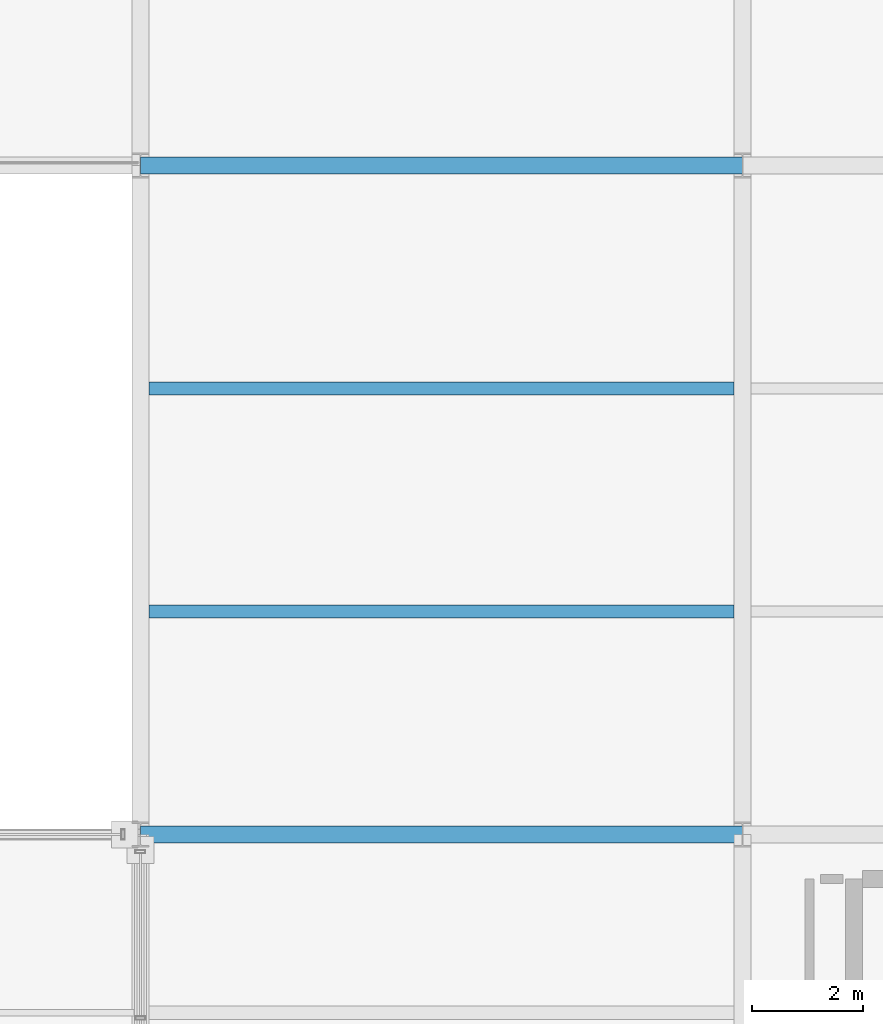
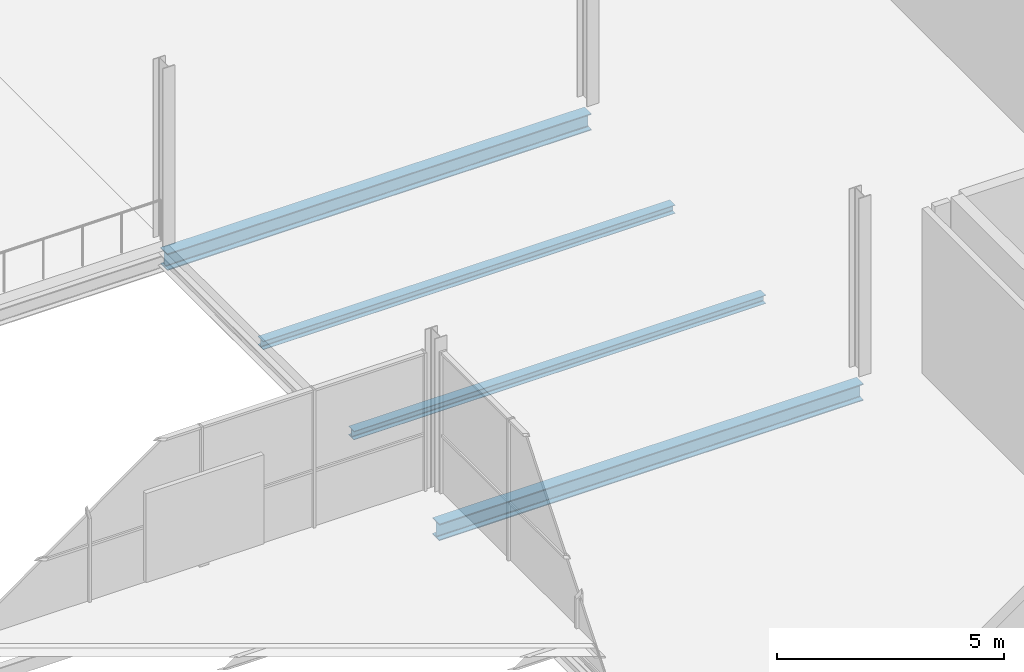
# One storey, part 103 of 159: 4 beams.
"""IFC4 building model written with IfcOpenShell, lengths in metres."""

from ifc_helpers import new_model, si_unit, direction, frame, origin, origin_2d, place, context, subcontext, project, spatial, i_section, extrude, material, material_profile, profile_set, type_object, element, save


model = new_model("IFC4")

# Units and contexts
model_context = context("Model", 3, precision=1e-05, world=origin(), true_north=direction((0.0, 1.0)))
body_context = subcontext(model_context, "Body", "Model", "MODEL_VIEW")
ifc_project = project(units=[si_unit("LENGTHUNIT", "METRE"), si_unit("AREAUNIT", "SQUARE_METRE"), si_unit("VOLUMEUNIT", "CUBIC_METRE"), si_unit("PLANEANGLEUNIT", "RADIAN"), si_unit("MASSUNIT", "GRAM", prefix="KILO")], contexts=[model_context])

# Site, building, storey
site_placement = place(None, origin())
site = spatial("IfcSite", under=ifc_project, at=site_placement, CompositionType="ELEMENT")
building_placement = place(site_placement, origin())
building = spatial("IfcBuilding", under=site, at=building_placement, Name="Merenkruunu Market Hall", CompositionType="ELEMENT")
storey_placement = place(building_placement, frame((0.0, 0.0, 5.39990234375)))
storey = spatial("IfcBuildingStorey", under=building, at=storey_placement, Name="L01", CompositionType="ELEMENT", Elevation=5.39990234375)

# Beams
ifc_material = material(Name="Steel S355J2", Category="steel")
ifc_material_profile_1 = material_profile(ifc_material, i_section(OverallWidth=0.300048828125, OverallDepth=0.449951171875, WebThickness=0.013916015625, FlangeThickness=0.02587890625, FilletRadius=0.027099609375, at=origin_2d()), Name="HEB 450")
ifc_profile_set_1 = profile_set([ifc_material_profile_1], Name="Steel S355J2")
beam_type_1 = type_object("IfcBeamType", Name="Primary Floor Girder B03", PredefinedType="BEAM", material=ifc_profile_set_1)
for number, where, z_axis, x_axis, name in (
    (1, (148.800048828125, 15.60009765625, -0.5048828125), (1.0, 0.0, 0.0), (0.0, 1.0, 0.0), "BM-L01-B03-0477"),
    (2, (148.800048828125, 27.60009765625, -0.5048828125), (1.0, 0.0, 0.0), (0.0, 1.0, 0.0), "BM-L01-B03-0490"),
):
    element("IfcBeam", number, at=place(storey_placement, frame(where, z_axis=z_axis, x_axis=x_axis)), inside=storey, type_object=beam_type_1, Name=name, PredefinedType="BEAM", context=body_context, shape_type="SweptSolid", body=[
        extrude(i_section(OverallWidth=0.300048828125, OverallDepth=0.449951171875, WebThickness=0.013916015625, FlangeThickness=0.02587890625, FilletRadius=0.027099609375, at=origin_2d()), origin(), (0.0, 0.0, 1.0), 10.800048828125),
    ])
ifc_material_profile_2 = material_profile(ifc_material, i_section(OverallWidth=0.239990234375, OverallDepth=0.22998046875, WebThickness=0.007568359375, FlangeThickness=0.011962890625, FilletRadius=0.02099609375, at=origin_2d()), Name="HEA 240")
ifc_profile_set_2 = profile_set([ifc_material_profile_2], Name="Steel S355J2")
beam_type_2 = type_object("IfcBeamType", Name="Secondary Floor Joist J06", PredefinedType="JOIST", material=ifc_profile_set_2)
for number, where, z_axis, x_axis, name in (
    (3, (148.952880859375, 19.60009765625, -0.39501953125), (1.0, 0.0, 0.0), (0.0, 1.0, 0.0), "BM-L01-J06-0703"),
    (4, (148.952880859375, 23.60009765625, -0.39501953125), (1.0, 0.0, 0.0), (0.0, 1.0, 0.0), "BM-L01-J06-0704"),
):
    element("IfcBeam", number, at=place(storey_placement, frame(where, z_axis=z_axis, x_axis=x_axis)), inside=storey, type_object=beam_type_2, Name=name, PredefinedType="JOIST", context=body_context, shape_type="SweptSolid", body=[
        extrude(i_section(OverallWidth=0.239990234375, OverallDepth=0.22998046875, WebThickness=0.007568359375, FlangeThickness=0.011962890625, FilletRadius=0.02099609375, at=origin_2d()), origin(), (0.0, 0.0, 1.0), 10.494140625),
    ])

save(model, "model.ifc")
